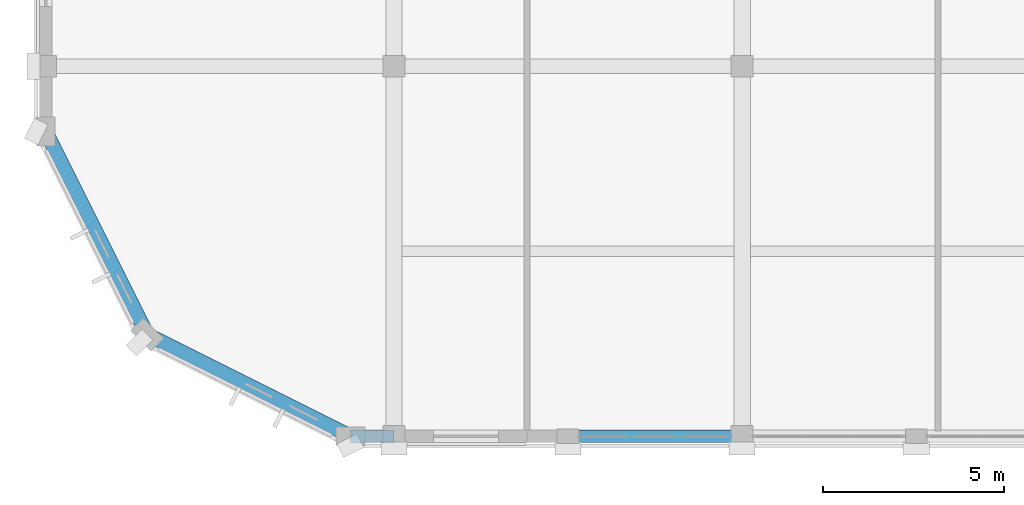
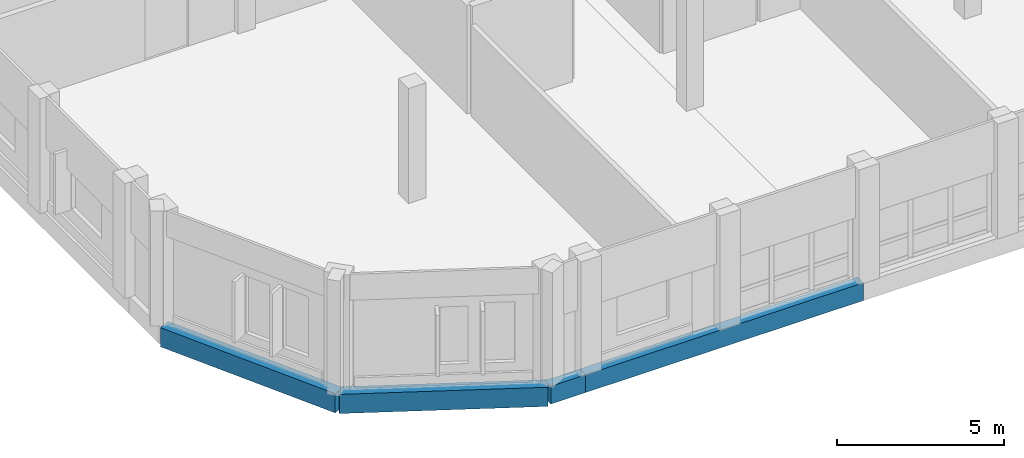
# One storey, part 8 of 93: 4 beams.
"""IFC4 building model written with IfcOpenShell, lengths in metres."""

from ifc_helpers import new_model, si_unit, direction, frame, origin, origin_2d, place, context, subcontext, project, spatial, rectangle, extrude, material, material_profile, profile_set, type_object, element, save


model = new_model("IFC4")

# Units and contexts
model_context = context("Model", 3, precision=1e-05, world=origin(), true_north=direction((0.0, 1.0)))
body_context = subcontext(model_context, "Body", "Model", "MODEL_VIEW")
ifc_project = project(units=[si_unit("LENGTHUNIT", "METRE"), si_unit("AREAUNIT", "SQUARE_METRE"), si_unit("VOLUMEUNIT", "CUBIC_METRE"), si_unit("PLANEANGLEUNIT", "RADIAN"), si_unit("MASSUNIT", "GRAM", prefix="KILO")], contexts=[model_context])

# Site, building, storey
site_placement = place(None, origin())
site = spatial("IfcSite", under=ifc_project, at=site_placement, CompositionType="ELEMENT")
building_placement = place(site_placement, origin())
building = spatial("IfcBuilding", under=site, at=building_placement, Name="Vondelvale Polytechnic", CompositionType="ELEMENT")
storey_placement = place(building_placement, frame((0.0, 0.0, 18.0)))
storey = spatial("IfcBuildingStorey", under=building, at=storey_placement, Name="L04", CompositionType="ELEMENT", Elevation=18.0)

# Beams
ifc_material = material(Name="Precast concrete N40 (f'c = 40 MPa)", Category="concrete")
ifc_material_profile_1 = material_profile(ifc_material, rectangle(XDim=0.35009765625, YDim=0.64990234375, at=origin_2d()), Name="RC-SPN-350x650")
ifc_profile_set_1 = profile_set([ifc_material_profile_1], Name="Precast concrete N40 (f'c = 40 MPa)")
beam_type_1 = type_object("IfcBeamType", Name="SPN-PRE350x650", PredefinedType="SPANDREL", material=ifc_profile_set_1)
beam_1_placement = place(storey_placement, frame((8.39990234375, 0.0, -0.574951171875), z_axis=(1.0, 0.0, 0.0), x_axis=(0.0, 1.0, 0.0)))
element("IfcBeam", 1, at=beam_1_placement, inside=storey, type_object=beam_type_1, Name="L04 B SP-02", PredefinedType="SPANDREL", context=body_context, shape_type="SweptSolid", body=[
    extrude(rectangle(XDim=0.35009765625, YDim=0.64990234375, at=origin_2d()), origin(), (0.0, 0.0, 1.0), 1.2001953125),
])
beam_2_placement = place(storey_placement, frame((9.60009765625, 0.0, -0.574951171875), z_axis=(1.0, 0.0, 0.0), x_axis=(0.0, 1.0, 0.0)))
element("IfcBeam", 2, at=beam_2_placement, inside=storey, type_object=beam_type_1, Name="L04 B SP-02", PredefinedType="SPANDREL", context=body_context, shape_type="SweptSolid", body=[
    extrude(rectangle(XDim=0.35009765625, YDim=0.64990234375, at=origin_2d()), origin(), (0.0, 0.0, 1.0), 9.599853515625),
])
ifc_material_profile_2 = material_profile(ifc_material, rectangle(XDim=0.39990234375, YDim=0.699951171875, at=origin_2d()), Name="RC-SPN-400x700")
ifc_profile_set_2 = profile_set([ifc_material_profile_2], Name="Precast concrete N40 (f'c = 40 MPa)")
beam_type_2 = type_object("IfcBeamType", Name="SPN-PRE400x700", PredefinedType="SPANDREL", material=ifc_profile_set_2)
for number, where, z_axis, x_axis, name in (
    (3, (8.39990234375, 0.0, -0.60009765625), (-0.894419391942, 0.447229193276, 0.0), (-0.447229193276, -0.894419391942, 0.0), "L04 SP SP-01"),
    (4, (2.800048828125, 2.800048828125, -0.60009765625), (-0.447229193276, 0.894419391942, 0.0), (-0.894419391942, -0.447229193276, 0.0), "L04 SP SP-01"),
):
    element("IfcBeam", number, at=place(storey_placement, frame(where, z_axis=z_axis, x_axis=x_axis)), inside=storey, type_object=beam_type_2, Name=name, PredefinedType="SPANDREL", context=body_context, shape_type="SweptSolid", body=[
        extrude(rectangle(XDim=0.39990234375, YDim=0.699951171875, at=origin_2d()), origin(), (0.0, 0.0, 1.0), 6.260986328125),
    ])

save(model, "model.ifc")
